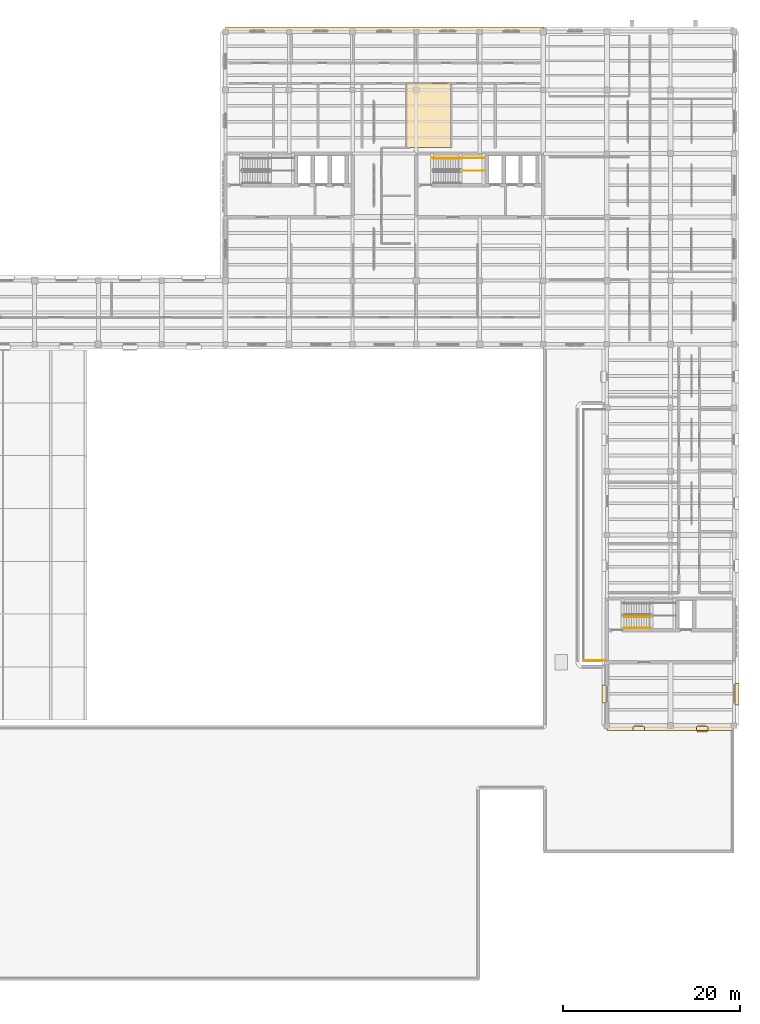
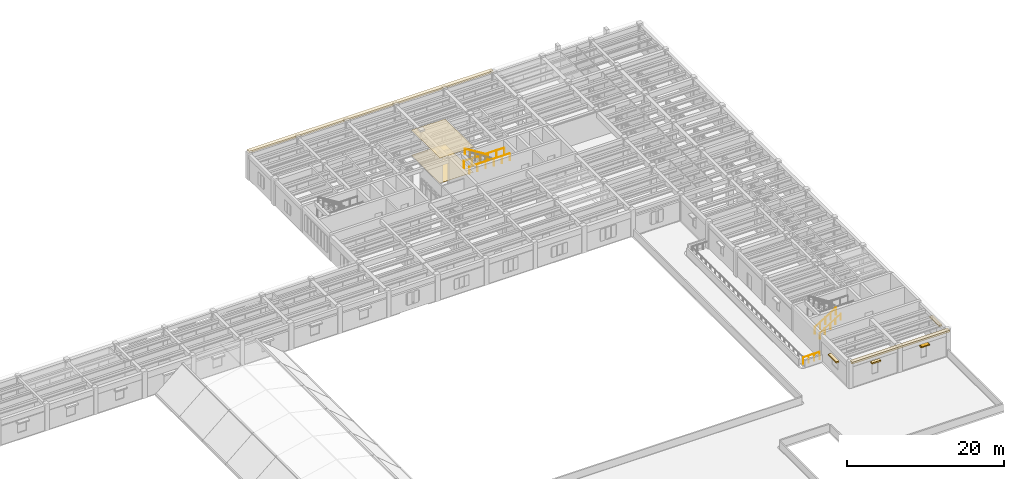
# One storey, part 38 of 40: 8 coverings, 6 railings, 1 shading device.
"""IFC4 building model written with IfcOpenShell, lengths in metres."""

import ifcopenshell
import ifcopenshell.guid

model = None  # the IFC model being written
_history = None  # IfcOwnerHistory: only IFC2X3 demands one
_inside = {}  # id of a spatial element -> (the spatial element, [elements in it])
_under = {}  # id of a project, library or spatial element -> (it, [spatial elements below it])
_declared = {}  # id of a project -> (the project, [libraries it declares])
_typed = {}  # id of a type object -> (the type object, [elements of that type])
_made_of = {}  # id of a material, layer set ... -> (it, [elements and type objects made of it])


def new_model(schema):
    """Start an empty IFC model of exactly this schema.

    Asked for "IFC4X3", IfcOpenShell would pick the latest addendum, in which some entities
    have other attributes; the version numbers below select the first issue.
    IFC2X3 requires an IfcOwnerHistory on every rooted entity: one is made here for all.
    """
    global model, _history
    if schema == "IFC4X3":
        model = ifcopenshell.file(schema_version=(4, 3, 0, 0))
    else:
        model = ifcopenshell.file(schema=schema)
    _inside.clear()
    _under.clear()
    _declared.clear()
    _typed.clear()
    _made_of.clear()
    _history = None
    if model.schema == "IFC2X3":
        org = make("IfcOrganization", Name="unknown")
        user = make(
            "IfcPersonAndOrganization",
            ThePerson=make("IfcPerson", FamilyName="unknown"),
            TheOrganization=org,
        )
        app = make(
            "IfcApplication",
            ApplicationDeveloper=org,
            Version="unknown",
            ApplicationFullName="unknown",
            ApplicationIdentifier="unknown",
        )
        _history = make(
            "IfcOwnerHistory",
            OwningUser=user,
            OwningApplication=app,
            ChangeAction="ADDED",
            CreationDate=0,
        )
    return model


def make(cls, **values):
    """One entity of the class cls with the attributes given. An attribute that is None is left unset."""
    return model.create_entity(
        cls, **{name: value for name, value in values.items() if value is not None}
    )


def rooted(cls, **values):
    """An entity with a GlobalId (a new one), such as an element, a storey or a relation."""
    return make(cls, GlobalId=ifcopenshell.guid.new(), OwnerHistory=_history, **values)


def si_unit(unit_type, name, prefix=None):
    """IfcSIUnit, for example si_unit("LENGTHUNIT", "METRE", prefix="MILLI")."""
    return make("IfcSIUnit", UnitType=unit_type, Prefix=prefix, Name=name)


def assignment(units):
    """IfcUnitAssignment: the units of a project."""
    return None if units is None else make("IfcUnitAssignment", Units=units)


def point(xyz):
    """IfcCartesianPoint."""
    return None if xyz is None else make("IfcCartesianPoint", Coordinates=xyz)


def direction(xyz):
    """IfcDirection."""
    return None if xyz is None else make("IfcDirection", DirectionRatios=xyz)


def frame(location, z_axis=None, x_axis=None):
    """IfcAxis2Placement3D, a coordinate frame: its origin and axes. An axis left out is left unset."""
    return make(
        "IfcAxis2Placement3D",
        Location=point(location),
        Axis=direction(z_axis),
        RefDirection=direction(x_axis),
    )


def frame_2d(location, x_axis=None):
    """IfcAxis2Placement2D, a coordinate frame in the plane: its origin and x axis."""
    return make(
        "IfcAxis2Placement2D", Location=point(location), RefDirection=direction(x_axis)
    )


def origin():
    """The frame at (0, 0, 0) with its axes left unset."""
    return frame((0.0, 0.0, 0.0))


def origin_2d():
    """The frame at (0, 0) in the plane with its x axis left unset."""
    return frame_2d((0.0, 0.0))


def place(relative_to, where):
    """IfcLocalPlacement: puts the frame where relative to a parent placement (None: the world)."""
    return make(
        "IfcLocalPlacement", PlacementRelTo=relative_to, RelativePlacement=where
    )


def context(
    kind, dimensions, precision=None, world=None, true_north=None, identifier=None
):
    """IfcGeometricRepresentationContext, for example the 3D "Model" context."""
    return make(
        "IfcGeometricRepresentationContext",
        ContextIdentifier=identifier,
        ContextType=kind,
        CoordinateSpaceDimension=dimensions,
        Precision=precision,
        WorldCoordinateSystem=world,
        TrueNorth=true_north,
    )


def subcontext(parent, identifier, kind, view, scale=None):
    """IfcGeometricRepresentationSubContext, for example "Body" below "Model"."""
    return make(
        "IfcGeometricRepresentationSubContext",
        ContextIdentifier=identifier,
        ContextType=kind,
        ParentContext=parent,
        TargetScale=scale,
        TargetView=view,
    )


def project(units=None, contexts=None):
    """IfcProject with its units and contexts."""
    return rooted(
        "IfcProject",
        Name="project",
        RepresentationContexts=contexts,
        UnitsInContext=assignment(units),
    )


def spatial(cls, under=None, at=None, **own):
    """A site, building, storey or space (cls), placed at a placement, below another one or the project."""
    s = rooted(cls, ObjectPlacement=at, **own)
    if under is not None:
        _under.setdefault(under.id(), (under, []))[1].append(s)
    return s


def polyline(points):
    """IfcPolyline through the points."""
    return make("IfcPolyline", Points=[point(p) for p in points])


def profile(cls, at=None, kind="AREA", **sizes):
    """A parametric profile (cls). Its sizes go by their IFC names, for example OverallWidth=200.0."""
    return make(cls, ProfileType=kind, Position=at, **sizes)


def rectangle(**sizes):
    """IfcRectangleProfileDef."""
    return profile("IfcRectangleProfileDef", **sizes)


def circle(**sizes):
    """IfcCircleProfileDef."""
    return profile("IfcCircleProfileDef", **sizes)


def outline(outer, holes=None, kind="AREA"):
    """IfcArbitraryClosedProfileDef: a profile drawn as a closed curve; with holes, ...WithVoids."""
    if holes is None:
        return make("IfcArbitraryClosedProfileDef", ProfileType=kind, OuterCurve=outer)
    return make(
        "IfcArbitraryProfileDefWithVoids",
        ProfileType=kind,
        OuterCurve=outer,
        InnerCurves=holes,
    )


def extrude(swept, where, along, depth):
    """IfcExtrudedAreaSolid: the profile swept, set in the frame where, extruded along a direction by depth."""
    return make(
        "IfcExtrudedAreaSolid",
        SweptArea=swept,
        Position=where,
        ExtrudedDirection=direction(along),
        Depth=depth,
    )


def shape(context_of_items, identifier, shape_type, items):
    """IfcShapeRepresentation: the items that make up one representation, for example the "Body"."""
    return make(
        "IfcShapeRepresentation",
        ContextOfItems=context_of_items,
        RepresentationIdentifier=identifier,
        RepresentationType=shape_type,
        Items=items,
    )


def material(Name=None, Category=None):
    """IfcMaterial."""
    return make("IfcMaterial", Name=Name, Category=Category)


def layer(
    of_material, thickness, ventilated=None, Name=None, Category=None, Priority=None
):
    """IfcMaterialLayer: one layer of a wall or slab, of a material (None: an air gap)."""
    return make(
        "IfcMaterialLayer",
        Material=of_material,
        LayerThickness=thickness,
        IsVentilated=ventilated,
        Name=Name,
        Category=Category,
        Priority=Priority,
    )


def layer_set(layers, Name=None):
    """IfcMaterialLayerSet."""
    return make("IfcMaterialLayerSet", MaterialLayers=layers, LayerSetName=Name)


def made_of(thing, what):
    """Note that an element or type object is made of a material, layer set ...; save() writes the relation."""
    if what is not None:
        _made_of.setdefault(what.id(), (what, []))[1].append(thing)
    return thing


def type_object(cls, material=None, **own):
    """A type object (cls), such as IfcWallType, which elements share."""
    return made_of(rooted(cls, **own), material)


def element(
    cls,
    number,
    at=None,
    inside=None,
    cuts=None,
    type_object=None,
    material=None,
    context=None,
    identifier="Body",
    shape_type=None,
    held_by="IfcProductDefinitionShape",
    body=None,
    shapes=None,
    **own,
):
    """One element of the class cls, such as IfcWall. Its Tag is "e" and its number.

    at: its placement. inside: the storey or other place that contains it. cuts: it is an
    opening in that element (IfcRelVoidsElement). A single representation is given by context,
    identifier, shape_type and body (its items); several are given by shapes. held_by: the class
    of the entity that holds the representations. save() writes the other relations.
    """
    e = rooted(cls, Tag="e%d" % number, ObjectPlacement=at, **own)
    if body is not None:
        shapes = [shape(context, identifier, shape_type, body)]
    if shapes is not None:
        e.Representation = make(held_by, Representations=shapes)
    if inside is not None:
        _inside.setdefault(inside.id(), (inside, []))[1].append(e)
    if cuts is not None:
        rooted(
            "IfcRelVoidsElement", RelatingBuildingElement=cuts, RelatedOpeningElement=e
        )
    if type_object is not None:
        _typed.setdefault(type_object.id(), (type_object, []))[1].append(e)
    return made_of(e, material)


def aggregate(whole, parts):
    """IfcRelAggregates: a whole, such as a stair, and the parts it consists of."""
    return rooted("IfcRelAggregates", RelatingObject=whole, RelatedObjects=parts)


def save(model, path):
    """Write the relations noted so far, then the file.

    IfcRelAggregates (storeys below a building ...), IfcRelContainedInSpatialStructure (elements
    in a storey), IfcRelDefinesByType, IfcRelAssociatesMaterial and IfcRelDeclares: one each for
    every whole, place, type object, material and project.
    """
    for whole, parts in _under.values():
        aggregate(whole, parts)
    for where, things in _inside.values():
        rooted(
            "IfcRelContainedInSpatialStructure",
            RelatedElements=things,
            RelatingStructure=where,
        )
    for kind, things in _typed.values():
        rooted("IfcRelDefinesByType", RelatedObjects=things, RelatingType=kind)
    for what, things in _made_of.values():
        rooted("IfcRelAssociatesMaterial", RelatedObjects=things, RelatingMaterial=what)
    for by, libraries in _declared.values():
        rooted("IfcRelDeclares", RelatingContext=by, RelatedDefinitions=libraries)
    model.write(path)


model = new_model("IFC4")

# Units and contexts
model_context = context("Model", 3, precision=1e-05, world=origin(), true_north=direction((0.0, 1.0)))
body_context = subcontext(model_context, "Body", "Model", "MODEL_VIEW")
ifc_project = project(units=[si_unit("LENGTHUNIT", "METRE"), si_unit("AREAUNIT", "SQUARE_METRE"), si_unit("VOLUMEUNIT", "CUBIC_METRE"), si_unit("PLANEANGLEUNIT", "RADIAN"), si_unit("MASSUNIT", "GRAM", prefix="KILO")], contexts=[model_context])

# Site, building, storey
site_placement = place(None, origin())
site = spatial("IfcSite", under=ifc_project, at=site_placement, CompositionType="ELEMENT")
building_placement = place(site_placement, origin())
building = spatial("IfcBuilding", under=site, at=building_placement, Name="Mithqara Police Headquarters", CompositionType="ELEMENT")
storey_placement = place(building_placement, frame((0.0, 0.0, 13.800048828125)))
storey = spatial("IfcBuildingStorey", under=building, at=storey_placement, Name="L03", CompositionType="ELEMENT", Elevation=13.800048828125)

# Coverings
ifc_material_1 = material(Name="Acoustic mineral-fibre ceiling tile", Category="gypsum")
ifc_layer_1 = layer(ifc_material_1, 0.02490234375, Name="Acoustic mineral-fibre ceiling tile")
ifc_layer_set_1 = layer_set([ifc_layer_1], Name="Acoustic mineral-fibre ceiling tile")
covering_type_1 = type_object("IfcCoveringType", Name="ACOUSTIC CEILING TILE", PredefinedType="CEILING", material=ifc_layer_set_1)
covering_1_placement = place(storey_placement, frame((0.0, 0.0, 3.9150390625)))
element("IfcCovering", 1, at=covering_1_placement, inside=storey, type_object=covering_type_1, Name="Warrants and Records Office Acoustic Ceiling", PredefinedType="CEILING", context=body_context, shape_type="SweptSolid", body=[
    extrude(outline(polyline([(129.131103515625, 100.8701171875), (134.114013671875, 100.8701171875), (134.114013671875, 108.1201171875), (129.131103515625, 108.1201171875), (129.131103515625, 100.8701171875)])), origin(), (0.0, 0.0, 1.0), 0.02490234375),
])
ifc_material_2 = material(Name="Limestone ashlar masonry, 45 MPa", Category="masonry")
ifc_layer_2 = layer(ifc_material_2, 0.320068359375, Name="Limestone ashlar masonry, 45 MPa")
ifc_layer_set_2 = layer_set([ifc_layer_2], Name="Limestone ashlar masonry, 45 MPa")
covering_type_2 = type_object("IfcCoveringType", Name="CORNICE LIMESTONE", PredefinedType="CLADDING", material=ifc_layer_set_2)
covering_2_placement = place(storey_placement, frame((159.0, 35.1201171875, 3.919921875), z_axis=(0.0, 0.0, 1.0), x_axis=(1.0, 0.0, 0.0)))
element("IfcCovering", 2, at=covering_2_placement, inside=storey, type_object=covering_type_2, Name="L03 Projecting Ottoman Limestone Eaves Cornice 9", PredefinedType="CLADDING", context=body_context, shape_type="SweptSolid", body=[
    extrude(rectangle(XDim=14.39990234375, YDim=0.56005859375, at=origin_2d()), origin(), (0.0, 0.0, 1.0), 0.280029296875),
])
covering_3_placement = place(storey_placement, frame((126.60009765625, 114.280029296875, 3.919921875), z_axis=(0.0, 0.0, 1.0), x_axis=(1.0, 0.0, 0.0)))
element("IfcCovering", 3, at=covering_3_placement, inside=storey, type_object=covering_type_2, Name="L03 Projecting Ottoman Limestone Eaves Cornice 13", PredefinedType="CLADDING", context=body_context, shape_type="SweptSolid", body=[
    extrude(rectangle(XDim=36.0, YDim=0.56005859375, at=origin_2d()), origin(), (0.0, 0.0, 1.0), 0.280029296875),
])

# Railings
ifc_material_3 = material(Name="Bronze anodised aluminium 6063-T6", Category="aluminium")
railing_type_1 = type_object("IfcRailingType", Name="GUARD BALUSTRADE1120", PredefinedType="BALUSTRADE", material=ifc_material_3)
railing_1_placement = place(storey_placement, frame((149.179931640625, 42.780029296875, 0.0)))
element("IfcRailing", 4, at=railing_1_placement, inside=storey, type_object=railing_type_1, Name="L03 Terrace Balustrade TER-L03-E-S", PredefinedType="BALUSTRADE", context=body_context, shape_type="SweptSolid", body=[
    extrude(circle(Radius=0.02392578125, at=origin_2d()), frame((0.0, 0.0, 1.09619140625), z_axis=(1.0, 0.0, 0.0), x_axis=(0.0, 1.0, 0.0)), (0.0, 0.0, 1.0), 2.440185546875),
    extrude(circle(Radius=0.02099609375, at=origin_2d()), origin(), (0.0, 0.0, 1.0), 1.072021484375),
    extrude(circle(Radius=0.02099609375, at=origin_2d()), frame((0.8134765625, 0.0, 0.0)), (0.0, 0.0, 1.0), 1.072021484375),
    extrude(circle(Radius=0.02099609375, at=origin_2d()), frame((1.626708984375, 0.0, 0.0)), (0.0, 0.0, 1.0), 1.072021484375),
    extrude(circle(Radius=0.02099609375, at=origin_2d()), frame((2.440185546875, 0.0, 0.0)), (0.0, 0.0, 1.0), 1.072021484375),
])
ifc_material_4 = material(Name="Steel S355JR", Category="steel")
railing_type_2 = type_object("IfcRailingType", Name="HANDRAIL 920", PredefinedType="HANDRAIL", material=ifc_material_4)
railing_2_placement = place(storey_placement, frame((135.22998046875, 99.64990234375, 2.27490234375)))
element("IfcRailing", 5, at=railing_2_placement, inside=storey, type_object=railing_type_2, Name="L03 ST-02 stair handrail 2", PredefinedType="HANDRAIL", context=body_context, shape_type="SweptSolid", body=[
    extrude(circle(Radius=0.02392578125, at=origin_2d()), frame((0.0, 0.0, 0.8759765625), z_axis=(-0.847998304005, 0.0, 0.529998940003), x_axis=(0.0, -1.0, 0.0)), (0.0, 0.0, 1.0), 3.632080078125),
    extrude(circle(Radius=0.02099609375, at=origin_2d()), origin(), (0.0, 0.0, 1.0), 0.851806640625),
    extrude(circle(Radius=0.02099609375, at=origin_2d()), frame((-0.77001953125, 0.0, 0.481201171875)), (0.0, 0.0, 1.0), 0.851806640625),
    extrude(circle(Radius=0.02099609375, at=origin_2d()), frame((-1.5400390625, 0.0, 0.96240234375)), (0.0, 0.0, 1.0), 0.851806640625),
    extrude(circle(Radius=0.02099609375, at=origin_2d()), frame((-2.31005859375, 0.0, 1.44384765625)), (0.0, 0.0, 1.0), 0.851806640625),
    extrude(circle(Radius=0.02099609375, at=origin_2d()), frame((-3.080078125, 0.0, 1.925048828125)), (0.0, 0.0, 1.0), 0.851806640625),
])
railing_3_placement = place(storey_placement, frame((153.75, 46.449951171875, 0.175048828125)))
element("IfcRailing", 6, at=railing_3_placement, inside=storey, type_object=railing_type_2, Name="L03 ST-04 stair handrail 1", PredefinedType="HANDRAIL", context=body_context, shape_type="SweptSolid", body=[
    extrude(circle(Radius=0.02392578125, at=origin_2d()), frame((0.0, 0.0, 0.8759765625), z_axis=(0.848028513186, 0.0, 0.529950602248), x_axis=(0.0, 1.0, 0.0)), (0.0, 0.0, 1.0), 3.632080078125),
    extrude(circle(Radius=0.02099609375, at=origin_2d()), origin(), (0.0, 0.0, 1.0), 0.851806640625),
    extrude(circle(Radius=0.02099609375, at=origin_2d()), frame((0.77001953125, 0.0, 0.481201171875)), (0.0, 0.0, 1.0), 0.851806640625),
    extrude(circle(Radius=0.02099609375, at=origin_2d()), frame((1.5400390625, 0.0, 0.96240234375)), (0.0, 0.0, 1.0), 0.851806640625),
    extrude(circle(Radius=0.02099609375, at=origin_2d()), frame((2.31005859375, 0.0, 1.443603515625)), (0.0, 0.0, 1.0), 0.851806640625),
    extrude(circle(Radius=0.02099609375, at=origin_2d()), frame((3.080078125, 0.0, 1.9248046875)), (0.0, 0.0, 1.0), 0.851806640625),
])

# Shading device
shading_device_type = type_object("IfcShadingDeviceType", Name="SOLAR LOUVRE BRONZE", PredefinedType="JALOUSIE", material=ifc_material_3)
shading_device_placement = place(storey_placement, frame((162.60009765625, 35.0, 3.02978515625), z_axis=(0.0, 0.0, 1.0), x_axis=(1.0, 0.0, 0.0)))
element("IfcShadingDevice", 7, at=shading_device_placement, inside=storey, type_object=shading_device_type, Name="L03 Window Solar Louvre Hood 9.2", PredefinedType="JALOUSIE", context=body_context, shape_type="SweptSolid", body=[
    extrude(rectangle(XDim=1.14990234375, YDim=0.60009765625, at=origin_2d()), origin(), (0.0, 0.0, 1.0), 0.10009765625),
])

# Railings
railing_type_3 = type_object("IfcRailingType", Name="STAIR GUARD 1120", PredefinedType="GUARDRAIL", material=ifc_material_4)
for number, where, name in (
    (8, (132.0, 98.25, 2.099853515625), "L03 ST-02 Half-Landing Guard IN"),
    (9, (132.0, 99.679931640625, 2.099853515625), "L03 ST-02 Half-Landing Guard OUT"),
):
    element("IfcRailing", number, at=place(storey_placement, frame(where)), inside=storey, type_object=railing_type_3, Name=name, PredefinedType="GUARDRAIL", context=body_context, shape_type="SweptSolid", body=[
        extrude(circle(Radius=0.02392578125, at=origin_2d()), frame((0.0, 0.0, 1.09619140625), z_axis=(1.0, 0.0, 0.0), x_axis=(0.0, 1.0, 0.0)), (0.0, 0.0, 1.0), 5.97998046875),
        extrude(circle(Radius=0.02099609375, at=origin_2d()), origin(), (0.0, 0.0, 1.0), 1.072021484375),
        extrude(circle(Radius=0.02099609375, at=origin_2d()), frame((1.196044921875, 0.0, 0.0)), (0.0, 0.0, 1.0), 1.072021484375),
        extrude(circle(Radius=0.02099609375, at=origin_2d()), frame((2.39208984375, 0.0, 0.0)), (0.0, 0.0, 1.0), 1.072021484375),
        extrude(circle(Radius=0.02099609375, at=origin_2d()), frame((3.587890625, 0.0, 0.0)), (0.0, 0.0, 1.0), 1.072021484375),
        extrude(circle(Radius=0.02099609375, at=origin_2d()), frame((4.783935546875, 0.0, 0.0)), (0.0, 0.0, 1.0), 1.072021484375),
        extrude(circle(Radius=0.02099609375, at=origin_2d()), frame((5.97998046875, 0.0, 0.0)), (0.0, 0.0, 1.0), 1.072021484375),
    ])
railing_4_placement = place(storey_placement, frame((153.75, 47.699951171875, 0.175048828125)))
element("IfcRailing", 10, at=railing_4_placement, inside=storey, type_object=railing_type_3, Name="L03 ST-04 stair guard 1", PredefinedType="GUARDRAIL", context=body_context, shape_type="SweptSolid", body=[
    extrude(circle(Radius=0.02392578125, at=origin_2d()), frame((0.0, 0.0, 1.076171875), z_axis=(0.848028513186, 0.0, 0.529950602248), x_axis=(0.0, 1.0, 0.0)), (0.0, 0.0, 1.0), 3.632080078125),
    extrude(circle(Radius=0.02099609375, at=origin_2d()), origin(), (0.0, 0.0, 1.0), 1.052001953125),
    extrude(circle(Radius=0.02099609375, at=origin_2d()), frame((0.77001953125, 0.0, 0.481201171875)), (0.0, 0.0, 1.0), 1.052001953125),
    extrude(circle(Radius=0.02099609375, at=origin_2d()), frame((1.5400390625, 0.0, 0.96240234375)), (0.0, 0.0, 1.0), 1.052001953125),
    extrude(circle(Radius=0.02099609375, at=origin_2d()), frame((2.31005859375, 0.0, 1.443603515625)), (0.0, 0.0, 1.0), 1.052001953125),
    extrude(circle(Radius=0.02099609375, at=origin_2d()), frame((3.080078125, 0.0, 1.9248046875)), (0.0, 0.0, 1.0), 1.052001953125),
])

# Coverings
ifc_material_5 = material(Name="Polished limestone terrazzo flooring", Category="masonry")
ifc_layer_3 = layer(ifc_material_5, 0.02001953125, Name="Polished limestone terrazzo flooring")
ifc_layer_set_3 = layer_set([ifc_layer_3], Name="Polished limestone terrazzo flooring")
covering_type_3 = type_object("IfcCoveringType", Name="TERRAZZO FLOOR FINISH", PredefinedType="FLOORING", material=ifc_layer_set_3)
covering_4_placement = place(storey_placement, origin())
element("IfcCovering", 11, at=covering_4_placement, inside=storey, type_object=covering_type_3, Name="Warrants and Records Office Terrazzo Floor Finish", PredefinedType="FLOORING", context=body_context, shape_type="SweptSolid", body=[
    extrude(outline(polyline([(129.131103515625, 100.8701171875), (134.114013671875, 100.8701171875), (134.114013671875, 108.1201171875), (129.131103515625, 108.1201171875), (129.131103515625, 100.8701171875)])), origin(), (0.0, 0.0, 1.0), 0.02001953125),
])
ifc_layer_4 = layer(ifc_material_2, 0.239990234375, Name="Limestone ashlar masonry, 45 MPa")
ifc_layer_set_4 = layer_set([ifc_layer_4], Name="Limestone ashlar masonry, 45 MPa")
covering_type_4 = type_object("IfcCoveringType", Name="WINDOW HOOD LIMESTONE", PredefinedType="CLADDING", material=ifc_layer_set_4)
covering_5_placement = place(storey_placement, frame((151.4599609375, 38.97998046875, 2.3701171875), z_axis=(0.0, 0.0, 1.0), x_axis=(0.0, 1.0, 0.0)))
element("IfcCovering", 12, at=covering_5_placement, inside=storey, type_object=covering_type_4, Name="L03 Limestone Window Architrave Hood 8.1", PredefinedType="CLADDING", context=body_context, shape_type="SweptSolid", body=[
    extrude(rectangle(XDim=2.0400390625, YDim=0.4599609375, at=origin_2d()), origin(), (0.0, 0.0, 1.0), 0.219970703125),
])
for number, where, z_axis, x_axis, name in (
    (13, (155.39990234375, 35.06005859375, 2.8701171875), (0.0, 0.0, 1.0), (1.0, 0.0, 0.0), "L03 Limestone Window Architrave Hood 9.1"),
    (14, (162.60009765625, 35.06005859375, 2.8701171875), (0.0, 0.0, 1.0), (1.0, 0.0, 0.0), "L03 Limestone Window Architrave Hood 9.2"),
):
    element("IfcCovering", number, at=place(storey_placement, frame(where, z_axis=z_axis, x_axis=x_axis)), inside=storey, type_object=covering_type_4, Name=name, PredefinedType="CLADDING", context=body_context, shape_type="SweptSolid", body=[
        extrude(rectangle(XDim=1.2900390625, YDim=0.4599609375, at=origin_2d()), origin(), (0.0, 0.0, 1.0), 0.219970703125),
    ])
covering_6_placement = place(storey_placement, frame((166.5400390625, 38.97998046875, 2.8701171875), z_axis=(0.0, 0.0, 1.0), x_axis=(0.0, 1.0, 0.0)))
element("IfcCovering", 15, at=covering_6_placement, inside=storey, type_object=covering_type_4, Name="L03 Limestone Window Architrave Hood 10.1", PredefinedType="CLADDING", context=body_context, shape_type="SweptSolid", body=[
    extrude(rectangle(XDim=2.43994140625, YDim=0.4599609375, at=origin_2d()), origin(), (0.0, 0.0, 1.0), 0.219970703125),
])

save(model, "model.ifc")
